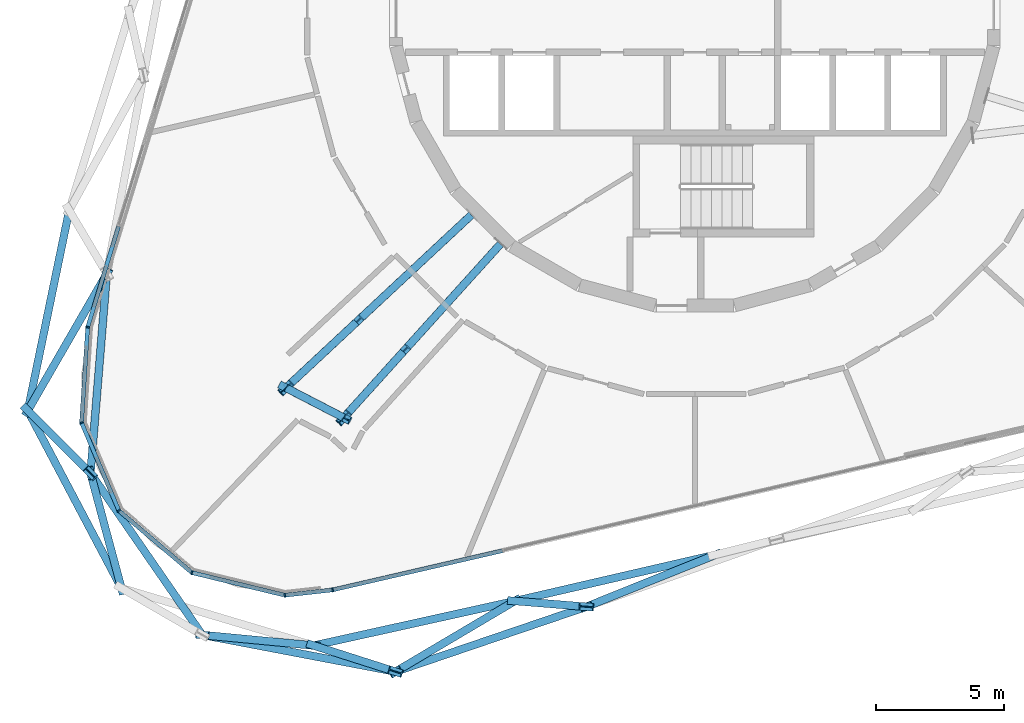
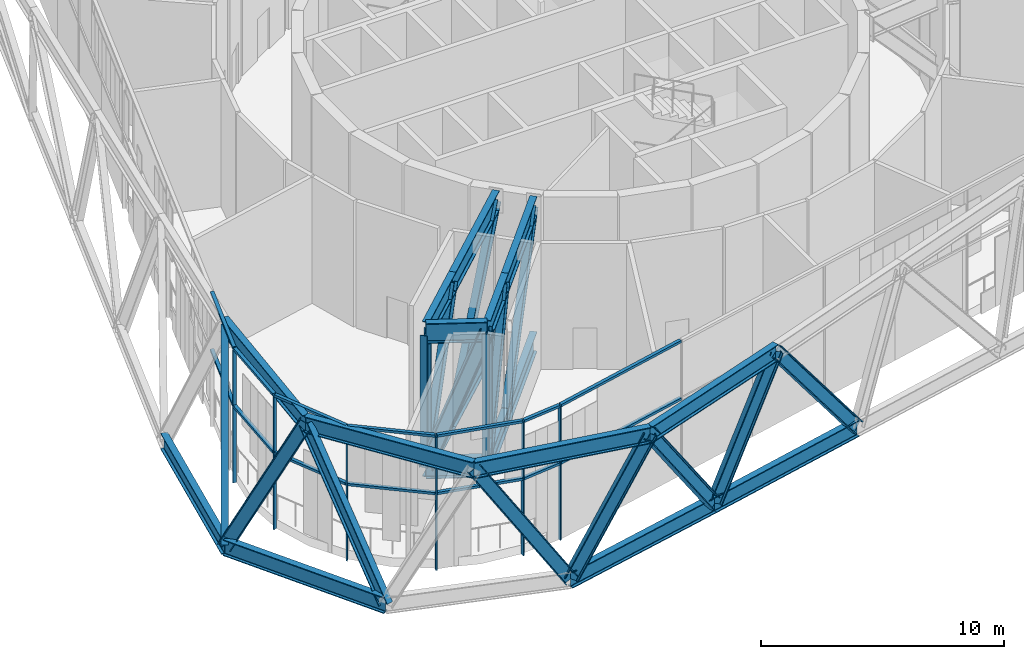
# One storey, part 2 of 25: 53 members, 1 element without a shape of its own.
"""IFC4 building model written with IfcOpenShell, lengths in metres."""

from ifc_helpers import new_model, si_unit, direction, frame, origin, origin_2d, place, context, subcontext, project, spatial, rectangle, i_section, extrude, material, layer, layer_set, material_profile, profile_set, type_object, element, aggregate, save


model = new_model("IFC4")

# Units and contexts
model_context = context("Model", 3, precision=1e-05, world=origin(), true_north=direction((0.0, 1.0)))
body_context = subcontext(model_context, "Body", "Model", "MODEL_VIEW")
ifc_project = project(units=[si_unit("LENGTHUNIT", "METRE"), si_unit("AREAUNIT", "SQUARE_METRE"), si_unit("VOLUMEUNIT", "CUBIC_METRE"), si_unit("PLANEANGLEUNIT", "RADIAN"), si_unit("MASSUNIT", "GRAM", prefix="KILO")], contexts=[model_context])

# Site, building, storey
site_placement = place(None, origin())
site = spatial("IfcSite", under=ifc_project, at=site_placement, CompositionType="ELEMENT")
building_placement = place(site_placement, origin())
building = spatial("IfcBuilding", under=site, at=building_placement, Name="Spindle Arch Residences", CompositionType="ELEMENT")
storey_placement = place(building_placement, frame((0.0, 0.0, 144.89990234375)))
storey = spatial("IfcBuildingStorey", under=building, at=storey_placement, Name="L36", CompositionType="ELEMENT", Elevation=144.89990234375)

# Members
ifc_material_1 = material(Name="Steel S460ML, intumescent coating R 240", Category="steel")
ifc_material_profile_1 = material_profile(ifc_material_1, i_section(OverallWidth=0.302978515625, OverallDepth=0.81396484375, WebThickness=0.02099609375, FlangeThickness=0.0400390625, FilletRadius=0.030029296875, at=origin_2d()), Name="HEM 800")
ifc_profile_set_1 = profile_set([ifc_material_profile_1], Name="Steel S460ML, intumescent coating R 240")
member_type_1 = type_object("IfcMemberType", Name="Belt truss chord HEM 800", PredefinedType="CHORD", material=ifc_profile_set_1)
member_1_placement = place(storey_placement, frame((-24.37744140625, -7.939697265625, -0.85693359375), z_axis=(-0.20252252567, -0.97927760446, 0.0), x_axis=(0.97927760446, -0.20252252567, 0.0)))
element("IfcMember", 1, at=member_1_placement, inside=storey, type_object=member_type_1, Name="Belt truss bottom chord L36.17", PredefinedType="CHORD", context=body_context, shape_type="SweptSolid", body=[
    extrude(i_section(OverallWidth=0.302978515625, OverallDepth=0.81396484375, WebThickness=0.02099609375, FlangeThickness=0.0400390625, FilletRadius=0.030029296875, at=origin_2d()), origin(), (0.0, 0.0, 1.0), 7.96826171875),
])
member_2_placement = place(storey_placement, frame((-25.9912109375, -15.742919921875, -0.85693359375), z_axis=(0.466652116591, -0.884440954548, 0.0), x_axis=(0.884440954548, 0.466652116591, 0.0)))
element("IfcMember", 2, at=member_2_placement, inside=storey, type_object=member_type_1, Name="Belt truss bottom chord L36.18", PredefinedType="CHORD", context=body_context, shape_type="SweptSolid", body=[
    extrude(i_section(OverallWidth=0.302978515625, OverallDepth=0.81396484375, WebThickness=0.02099609375, FlangeThickness=0.0400390625, FilletRadius=0.030029296875, at=origin_2d()), origin(), (0.0, 0.0, 1.0), 7.8193359375),
])
member_3_placement = place(storey_placement, frame((-14.85009765625, -24.897216796875, -0.85693359375), z_axis=(0.976356376203, 0.216167126657, 0.0), x_axis=(-0.216167126657, 0.976356376203, 0.0)))
element("IfcMember", 3, at=member_3_placement, inside=storey, type_object=member_type_1, Name="Belt truss bottom chord L36.20", PredefinedType="CHORD", context=body_context, shape_type="SweptSolid", body=[
    extrude(i_section(OverallWidth=0.302978515625, OverallDepth=0.81396484375, WebThickness=0.02099609375, FlangeThickness=0.0400390625, FilletRadius=0.030029296875, at=origin_2d()), origin(), (0.0, 0.0, 1.0), 8.026611328125),
])
member_4_placement = place(storey_placement, frame((-7.01318359375, -23.162109375, -0.85693359375), z_axis=(0.974371205655, 0.224946112636, 0.0), x_axis=(-0.224946112636, 0.974371205655, 0.0)))
element("IfcMember", 4, at=member_4_placement, inside=storey, type_object=member_type_1, Name="Belt truss bottom chord L36.21", PredefinedType="CHORD", context=body_context, shape_type="SweptSolid", body=[
    extrude(i_section(OverallWidth=0.302978515625, OverallDepth=0.81396484375, WebThickness=0.02099609375, FlangeThickness=0.0400390625, FilletRadius=0.030029296875, at=origin_2d()), origin(), (0.0, 0.0, 1.0), 8.029296875),
])
member_5_placement = place(storey_placement, frame((-22.91357421875, -10.40869140625, 5.943115234375), z_axis=(-0.081373439166, -0.996683682719, 0.0), x_axis=(0.996683682719, -0.081373439166, 0.0)))
element("IfcMember", 5, at=member_5_placement, inside=storey, type_object=member_type_1, Name="Belt truss top chord L36.17", PredefinedType="CHORD", context=body_context, shape_type="SweptSolid", body=[
    extrude(i_section(OverallWidth=0.302978515625, OverallDepth=0.81396484375, WebThickness=0.02099609375, FlangeThickness=0.0400390625, FilletRadius=0.030029296875, at=origin_2d()), origin(), (0.0, 0.0, 1.0), 7.794677734375),
])
member_6_placement = place(storey_placement, frame((-23.5478515625, -18.177490234375, 5.943115234375), z_axis=(0.56837972253, -0.822766364782, 0.0), x_axis=(0.822766364782, 0.56837972253, 0.0)))
element("IfcMember", 6, at=member_6_placement, inside=storey, type_object=member_type_1, Name="Belt truss top chord L36.18", PredefinedType="CHORD", context=body_context, shape_type="SweptSolid", body=[
    extrude(i_section(OverallWidth=0.302978515625, OverallDepth=0.81396484375, WebThickness=0.02099609375, FlangeThickness=0.0400390625, FilletRadius=0.030029296875, at=origin_2d()), origin(), (0.0, 0.0, 1.0), 7.663330078125),
])
member_7_placement = place(storey_placement, frame((-19.192138671875, -24.482666015625, 5.943115234375), z_axis=(0.982375634754, -0.186917394166, 0.0), x_axis=(0.186917394166, 0.982375634754, 0.0)))
element("IfcMember", 7, at=member_7_placement, inside=storey, type_object=member_type_1, Name="Belt truss top chord L36.19", PredefinedType="CHORD", context=body_context, shape_type="SweptSolid", body=[
    extrude(i_section(OverallWidth=0.302978515625, OverallDepth=0.81396484375, WebThickness=0.02099609375, FlangeThickness=0.0400390625, FilletRadius=0.030029296875, at=origin_2d()), origin(), (0.0, 0.0, 1.0), 7.6630859375),
])
member_8_placement = place(storey_placement, frame((-11.6640625, -25.9150390625, 5.943115234375), z_axis=(0.946726327311, 0.32203922304, 0.0), x_axis=(-0.32203922304, 0.946726327311, 0.0)))
element("IfcMember", 8, at=member_8_placement, inside=storey, type_object=member_type_1, Name="Belt truss top chord L36.20", PredefinedType="CHORD", context=body_context, shape_type="SweptSolid", body=[
    extrude(i_section(OverallWidth=0.302978515625, OverallDepth=0.81396484375, WebThickness=0.02099609375, FlangeThickness=0.0400390625, FilletRadius=0.030029296875, at=origin_2d()), origin(), (0.0, 0.0, 1.0), 7.856201171875),
])
ifc_material_2 = material(Name="Steel S460ML, intumescent coating R 240", Category="steel")
ifc_material_profile_2 = material_profile(ifc_material_2, i_section(OverallWidth=0.304931640625, OverallDepth=0.6201171875, WebThickness=0.02099609375, FlangeThickness=0.0400390625, FilletRadius=0.027099609375, at=origin_2d()), Name="HEM 600")
ifc_profile_set_2 = profile_set([ifc_material_profile_2], Name="Steel S460ML, intumescent coating R 240")
member_type_2 = type_object("IfcMemberType", Name="Belt truss diagonal HEM 600", PredefinedType="BRACE", material=ifc_profile_set_2)
member_9_placement = place(storey_placement, frame((-25.9912109375, -15.742919921875, -0.85693359375), z_axis=(0.335465378915, 0.581436067263, 0.741211899011), x_axis=(-0.866171725876, 0.499746477019, 0.0)))
element("IfcMember", 9, at=member_9_placement, inside=storey, type_object=member_type_2, Name="Belt truss diagonal L36.17.18", PredefinedType="BRACE", context=body_context, shape_type="SweptSolid", body=[
    extrude(i_section(OverallWidth=0.304931640625, OverallDepth=0.6201171875, WebThickness=0.02099609375, FlangeThickness=0.0400390625, FilletRadius=0.027099609375, at=origin_2d()), origin(), (0.0, 0.0, 1.0), 9.17431640625),
])
member_10_placement = place(storey_placement, frame((-25.9912109375, -15.742919921875, -0.85693359375), z_axis=(0.320448354308, -0.319295662386, 0.891831336186), x_axis=(0.705831569178, 0.708379697586, 0.0)))
element("IfcMember", 10, at=member_10_placement, inside=storey, type_object=member_type_2, Name="Belt truss diagonal L36.18.18", PredefinedType="BRACE", context=body_context, shape_type="SweptSolid", body=[
    extrude(i_section(OverallWidth=0.304931640625, OverallDepth=0.6201171875, WebThickness=0.02099609375, FlangeThickness=0.0400390625, FilletRadius=0.027099609375, at=origin_2d()), origin(), (0.0, 0.0, 1.0), 7.624755859375),
])
member_11_placement = place(storey_placement, frame((-22.34228515625, -22.65869140625, -0.85693359375), z_axis=(-0.146438635955, 0.54432587342, 0.825993383403), x_axis=(-0.965665013596, -0.25979045694, 0.0)))
element("IfcMember", 11, at=member_11_placement, inside=storey, type_object=member_type_2, Name="Belt truss diagonal L36.18.19", PredefinedType="BRACE", context=body_context, shape_type="SweptSolid", body=[
    extrude(i_section(OverallWidth=0.304931640625, OverallDepth=0.6201171875, WebThickness=0.02099609375, FlangeThickness=0.0400390625, FilletRadius=0.027099609375, at=origin_2d()), origin(), (0.0, 0.0, 1.0), 8.232666015625),
])
member_12_placement = place(storey_placement, frame((-14.85009765625, -24.897216796875, -0.85693359375), z_axis=(-0.53746596391, 0.051313871618, 0.841722771593), x_axis=(-0.095041533704, -0.995473307965, 0.0)))
element("IfcMember", 12, at=member_12_placement, inside=storey, type_object=member_type_2, Name="Belt truss diagonal L36.19.20", PredefinedType="BRACE", context=body_context, shape_type="SweptSolid", body=[
    extrude(i_section(OverallWidth=0.304931640625, OverallDepth=0.6201171875, WebThickness=0.02099609375, FlangeThickness=0.0400390625, FilletRadius=0.027099609375, at=origin_2d()), origin(), (0.0, 0.0, 1.0), 8.07861328125),
])
member_13_placement = place(storey_placement, frame((-14.85009765625, -24.897216796875, -0.85693359375), z_axis=(0.420427206095, -0.134311189441, 0.897330189376), x_axis=(0.304312194688, 0.952572353244, 0.0)))
element("IfcMember", 13, at=member_13_placement, inside=storey, type_object=member_type_2, Name="Belt truss diagonal L36.20.20", PredefinedType="BRACE", context=body_context, shape_type="SweptSolid", body=[
    extrude(i_section(OverallWidth=0.304931640625, OverallDepth=0.6201171875, WebThickness=0.02099609375, FlangeThickness=0.0400390625, FilletRadius=0.027099609375, at=origin_2d()), origin(), (0.0, 0.0, 1.0), 7.578125),
])
member_14_placement = place(storey_placement, frame((-7.01318359375, -23.162109375, -0.85693359375), z_axis=(-0.535433479978, -0.316931649356, 0.782857150542), x_axis=(0.509371416639, -0.860546779618, 0.0)))
element("IfcMember", 14, at=member_14_placement, inside=storey, type_object=member_type_2, Name="Belt truss diagonal L36.20.21", PredefinedType="BRACE", context=body_context, shape_type="SweptSolid", body=[
    extrude(i_section(OverallWidth=0.304931640625, OverallDepth=0.6201171875, WebThickness=0.02099609375, FlangeThickness=0.0400390625, FilletRadius=0.027099609375, at=origin_2d()), origin(), (0.0, 0.0, 1.0), 8.686279296875),
])
member_15_placement = place(storey_placement, frame((-7.01318359375, -23.162109375, -0.85693359375), z_axis=(0.379044441662, -0.030316914169, 0.924881719984), x_axis=(0.079727868305, 0.996816666702, 0.0)))
element("IfcMember", 15, at=member_15_placement, inside=storey, type_object=member_type_2, Name="Belt truss diagonal L36.21.21", PredefinedType="BRACE", context=body_context, shape_type="SweptSolid", body=[
    extrude(i_section(OverallWidth=0.304931640625, OverallDepth=0.6201171875, WebThickness=0.02099609375, FlangeThickness=0.0400390625, FilletRadius=0.027099609375, at=origin_2d()), origin(), (0.0, 0.0, 1.0), 7.352294921875),
])
member_16_placement = place(storey_placement, frame((0.810302734375, -21.35595703125, -0.85693359375), z_axis=(-0.578787124766, -0.233170130583, 0.781432757446), x_axis=(0.373676393128, -0.927559137316, 0.0)))
element("IfcMember", 16, at=member_16_placement, inside=storey, type_object=member_type_2, Name="Belt truss diagonal L36.21.22", PredefinedType="BRACE", context=body_context, shape_type="SweptSolid", body=[
    extrude(i_section(OverallWidth=0.304931640625, OverallDepth=0.6201171875, WebThickness=0.02099609375, FlangeThickness=0.0400390625, FilletRadius=0.027099609375, at=origin_2d()), origin(), (0.0, 0.0, 1.0), 8.7021484375),
])

# Curtain wall, members
ifc_material_3 = material(Name="Aluminium bronze unitised frame with tinted glass", Category="aluminium")
ifc_layer = layer(ifc_material_3, 0.159912109375)
ifc_layer_set = layer_set([ifc_layer], Name="CW-E double-height winter garden wall")
curtain_wall_type = type_object("IfcCurtainWallType", Name="CW-E double-height winter garden wall", PredefinedType="NOTDEFINED", material=ifc_layer_set)
curtain_wall_placement = place(storey_placement, origin())
curtain_wall = element("IfcCurtainWall", 17, at=curtain_wall_placement, inside=storey, type_object=curtain_wall_type, Name="CW-E L36 run 5", PredefinedType="NOTDEFINED")
ifc_material_4 = material(Name="Aluminium bronze anodised mullion", Category="aluminium")
ifc_material_profile_3 = material_profile(ifc_material_4, rectangle(XDim=0.159912109375, YDim=0.06005859375, at=origin_2d()), Name="MU 60x160")
ifc_profile_set_3 = profile_set([ifc_material_profile_3], Name="Aluminium bronze anodised mullion")
member_type_3 = type_object("IfcMemberType", Name="Bronze mullion 60x160", PredefinedType="MULLION", material=ifc_profile_set_3)
member_17_placement = place(storey_placement, frame((-23.6572265625, -12.49267578125, -0.449951171875), z_axis=(0.0, 0.0, 1.0), x_axis=(0.997952993046, -0.063951729226, 0.0)))
member_17 = element("IfcMember", 18, at=member_17_placement, type_object=member_type_3, Name="CW-E mullion 01", PredefinedType="MULLION", context=body_context, shape_type="SweptSolid", body=[
    extrude(rectangle(XDim=0.159912109375, YDim=0.06005859375, at=origin_2d()), origin(), (0.0, 0.0, 1.0), 6.679931640625),
])
member_18_placement = place(storey_placement, frame((-23.8955078125, -16.2119140625, -0.449951171875), z_axis=(0.0, 0.0, 1.0), x_axis=(0.920504854032, 0.390731127124, 0.0)))
member_18 = element("IfcMember", 19, at=member_18_placement, type_object=member_type_3, Name="CW-E mullion 02", PredefinedType="MULLION", context=body_context, shape_type="SweptSolid", body=[
    extrude(rectangle(XDim=0.159912109375, YDim=0.06005859375, at=origin_2d()), origin(), (0.0, 0.0, 1.0), 6.679931640625),
])
member_19_placement = place(storey_placement, frame((-22.439208984375, -19.642333984375, -0.449951171875), z_axis=(0.0, 0.0, 1.0), x_axis=(0.647233374321, 0.762291912042, 0.0)))
member_19 = element("IfcMember", 20, at=member_19_placement, type_object=member_type_3, Name="CW-E mullion 03", PredefinedType="MULLION", context=body_context, shape_type="SweptSolid", body=[
    extrude(rectangle(XDim=0.159912109375, YDim=0.06005859375, at=origin_2d()), origin(), (0.0, 0.0, 1.0), 6.679931640625),
])
member_20_placement = place(storey_placement, frame((-19.598388671875, -22.054443359375, -0.449951171875), z_axis=(0.0, 0.0, 1.0), x_axis=(0.23627288281, 0.971686742139, 0.0)))
member_20 = element("IfcMember", 21, at=member_20_placement, type_object=member_type_3, Name="CW-E mullion 04", PredefinedType="MULLION", context=body_context, shape_type="SweptSolid", body=[
    extrude(rectangle(XDim=0.159912109375, YDim=0.06005859375, at=origin_2d()), origin(), (0.0, 0.0, 1.0), 6.679931640625),
])
member_21_placement = place(storey_placement, frame((-15.977294921875, -22.93505859375, -0.449951171875), z_axis=(0.0, 0.0, 1.0), x_axis=(-0.110312554381, 0.993896946542, 0.0)))
member_21 = element("IfcMember", 22, at=member_21_placement, type_object=member_type_3, Name="CW-E mullion 05", PredefinedType="MULLION", context=body_context, shape_type="SweptSolid", body=[
    extrude(rectangle(XDim=0.159912109375, YDim=0.06005859375, at=origin_2d()), origin(), (0.0, 0.0, 1.0), 6.679931640625),
])
member_22_placement = place(storey_placement, frame((-14.112548828125, -22.72802734375, -0.449951171875), z_axis=(0.0, 0.0, 1.0), x_axis=(-0.224951054344, 0.974370064785, 0.0)))
member_22 = element("IfcMember", 23, at=member_22_placement, type_object=member_type_3, Name="CW-E mullion 06", PredefinedType="MULLION", context=body_context, shape_type="SweptSolid", body=[
    extrude(rectangle(XDim=0.159912109375, YDim=0.06005859375, at=origin_2d()), origin(), (0.0, 0.0, 1.0), 6.679931640625),
])
ifc_material_5 = material(Name="Aluminium bronze anodised transom", Category="aluminium")
ifc_material_profile_4 = material_profile(ifc_material_5, rectangle(XDim=0.159912109375, YDim=0.1201171875, at=origin_2d()), Name="TR 120x160")
ifc_profile_set_4 = profile_set([ifc_material_profile_4], Name="Aluminium bronze anodised transom")
member_type_4 = type_object("IfcMemberType", Name="Bronze transom 120x160", PredefinedType="USERDEFINED", material=ifc_profile_set_4)
member_23_placement = place(storey_placement, frame((-22.45458984375, -8.55908203125, 6.2900390625), z_axis=(-0.292362833345, -0.95630746817, 0.0), x_axis=(0.95630746817, -0.292362833345, 0.0)))
member_23 = element("IfcMember", 24, at=member_23_placement, type_object=member_type_4, Name="CW-E transom 00", ObjectType="TRANSOM", PredefinedType="USERDEFINED", context=body_context, shape_type="SweptSolid", body=[
    extrude(rectangle(XDim=0.159912109375, YDim=0.1201171875, at=origin_2d()), origin(), (0.0, 0.0, 1.0), 4.08349609375),
])
member_24_placement = place(storey_placement, frame((-22.45458984375, -8.55908203125, 3.400146484375), z_axis=(-0.292362833345, -0.95630746817, 0.0), x_axis=(0.95630746817, -0.292362833345, 0.0)))
member_24 = element("IfcMember", 25, at=member_24_placement, type_object=member_type_4, Name="CW-E transom 00m", ObjectType="TRANSOM", PredefinedType="USERDEFINED", context=body_context, shape_type="SweptSolid", body=[
    extrude(rectangle(XDim=0.159912109375, YDim=0.1201171875, at=origin_2d()), origin(), (0.0, 0.0, 1.0), 4.08349609375),
])
member_25_placement = place(storey_placement, frame((-23.6591796875, -12.522705078125, 6.2900390625), z_axis=(-0.063920256807, -0.997955009392, 0.0), x_axis=(0.997955009392, -0.063920256807, 0.0)))
member_25 = element("IfcMember", 26, at=member_25_placement, type_object=member_type_4, Name="CW-E transom 01", ObjectType="TRANSOM", PredefinedType="USERDEFINED", context=body_context, shape_type="SweptSolid", body=[
    extrude(rectangle(XDim=0.159912109375, YDim=0.1201171875, at=origin_2d()), origin(), (0.0, 0.0, 1.0), 3.666748046875),
])
member_26_placement = place(storey_placement, frame((-23.6591796875, -12.522705078125, 3.400146484375), z_axis=(-0.063920256807, -0.997955009392, 0.0), x_axis=(0.997955009392, -0.063920256807, 0.0)))
member_26 = element("IfcMember", 27, at=member_26_placement, type_object=member_type_4, Name="CW-E transom 01m", ObjectType="TRANSOM", PredefinedType="USERDEFINED", context=body_context, shape_type="SweptSolid", body=[
    extrude(rectangle(XDim=0.159912109375, YDim=0.1201171875, at=origin_2d()), origin(), (0.0, 0.0, 1.0), 3.666748046875),
])
member_27_placement = place(storey_placement, frame((-23.8837890625, -16.239501953125, 6.2900390625), z_axis=(0.39076699022, -0.920489630226, 0.0), x_axis=(0.920489630226, 0.39076699022, 0.0)))
member_27 = element("IfcMember", 28, at=member_27_placement, type_object=member_type_4, Name="CW-E transom 02", ObjectType="TRANSOM", PredefinedType="USERDEFINED", context=body_context, shape_type="SweptSolid", body=[
    extrude(rectangle(XDim=0.159912109375, YDim=0.1201171875, at=origin_2d()), origin(), (0.0, 0.0, 1.0), 3.666748046875),
])
member_28_placement = place(storey_placement, frame((-23.8837890625, -16.239501953125, 3.400146484375), z_axis=(0.39076699022, -0.920489630226, 0.0), x_axis=(0.920489630226, 0.39076699022, 0.0)))
member_28 = element("IfcMember", 29, at=member_28_placement, type_object=member_type_4, Name="CW-E transom 02m", ObjectType="TRANSOM", PredefinedType="USERDEFINED", context=body_context, shape_type="SweptSolid", body=[
    extrude(rectangle(XDim=0.159912109375, YDim=0.1201171875, at=origin_2d()), origin(), (0.0, 0.0, 1.0), 3.666748046875),
])
member_29_placement = place(storey_placement, frame((-22.41650390625, -19.661865234375, 6.2900390625), z_axis=(0.762289120673, -0.647236661897, 0.0), x_axis=(0.647236661897, 0.762289120673, 0.0)))
member_29 = element("IfcMember", 30, at=member_29_placement, type_object=member_type_4, Name="CW-E transom 03", ObjectType="TRANSOM", PredefinedType="USERDEFINED", context=body_context, shape_type="SweptSolid", body=[
    extrude(rectangle(XDim=0.159912109375, YDim=0.1201171875, at=origin_2d()), origin(), (0.0, 0.0, 1.0), 3.666748046875),
])
member_30_placement = place(storey_placement, frame((-22.41650390625, -19.661865234375, 3.400146484375), z_axis=(0.762289120673, -0.647236661897, 0.0), x_axis=(0.647236661897, 0.762289120673, 0.0)))
member_30 = element("IfcMember", 31, at=member_30_placement, type_object=member_type_4, Name="CW-E transom 03m", ObjectType="TRANSOM", PredefinedType="USERDEFINED", context=body_context, shape_type="SweptSolid", body=[
    extrude(rectangle(XDim=0.159912109375, YDim=0.1201171875, at=origin_2d()), origin(), (0.0, 0.0, 1.0), 3.666748046875),
])
member_31_placement = place(storey_placement, frame((-19.5693359375, -22.0615234375, 6.2900390625), z_axis=(0.971681239144, -0.236295513068, 0.0), x_axis=(0.236295513068, 0.971681239144, 0.0)))
member_31 = element("IfcMember", 32, at=member_31_placement, type_object=member_type_4, Name="CW-E transom 04", ObjectType="TRANSOM", PredefinedType="USERDEFINED", context=body_context, shape_type="SweptSolid", body=[
    extrude(rectangle(XDim=0.159912109375, YDim=0.1201171875, at=origin_2d()), origin(), (0.0, 0.0, 1.0), 3.666748046875),
])
member_32_placement = place(storey_placement, frame((-19.5693359375, -22.0615234375, 3.400146484375), z_axis=(0.971681239144, -0.236295513068, 0.0), x_axis=(0.236295513068, 0.971681239144, 0.0)))
member_32 = element("IfcMember", 33, at=member_32_placement, type_object=member_type_4, Name="CW-E transom 04m", ObjectType="TRANSOM", PredefinedType="USERDEFINED", context=body_context, shape_type="SweptSolid", body=[
    extrude(rectangle(XDim=0.159912109375, YDim=0.1201171875, at=origin_2d()), origin(), (0.0, 0.0, 1.0), 3.666748046875),
])
member_33_placement = place(storey_placement, frame((-15.947509765625, -22.931640625, 6.2900390625), z_axis=(0.993906663087, 0.110224974808, 0.0), x_axis=(-0.110224974808, 0.993906663087, 0.0)))
member_33 = element("IfcMember", 34, at=member_33_placement, type_object=member_type_4, Name="CW-E transom 05", ObjectType="TRANSOM", PredefinedType="USERDEFINED", context=body_context, shape_type="SweptSolid", body=[
    extrude(rectangle(XDim=0.159912109375, YDim=0.1201171875, at=origin_2d()), origin(), (0.0, 0.0, 1.0), 1.816162109375),
])
member_34_placement = place(storey_placement, frame((-15.947509765625, -22.931640625, 3.400146484375), z_axis=(0.993906663087, 0.110224974808, 0.0), x_axis=(-0.110224974808, 0.993906663087, 0.0)))
member_34 = element("IfcMember", 35, at=member_34_placement, type_object=member_type_4, Name="CW-E transom 05m", ObjectType="TRANSOM", PredefinedType="USERDEFINED", context=body_context, shape_type="SweptSolid", body=[
    extrude(rectangle(XDim=0.159912109375, YDim=0.1201171875, at=origin_2d()), origin(), (0.0, 0.0, 1.0), 1.816162109375),
])
member_35_placement = place(storey_placement, frame((-14.083251953125, -22.721435546875, 6.2900390625), z_axis=(0.974365014398, 0.224972928856, 0.0), x_axis=(-0.224972928856, 0.974365014398, 0.0)))
member_35 = element("IfcMember", 36, at=member_35_placement, type_object=member_type_4, Name="CW-E transom 06", ObjectType="TRANSOM", PredefinedType="USERDEFINED", context=body_context, shape_type="SweptSolid", body=[
    extrude(rectangle(XDim=0.159912109375, YDim=0.1201171875, at=origin_2d()), origin(), (0.0, 0.0, 1.0), 6.759765625),
])
member_36_placement = place(storey_placement, frame((-14.083251953125, -22.721435546875, 3.400146484375), z_axis=(0.974365014398, 0.224972928856, 0.0), x_axis=(-0.224972928856, 0.974365014398, 0.0)))
member_36 = element("IfcMember", 37, at=member_36_placement, type_object=member_type_4, Name="CW-E transom 06m", ObjectType="TRANSOM", PredefinedType="USERDEFINED", context=body_context, shape_type="SweptSolid", body=[
    extrude(rectangle(XDim=0.159912109375, YDim=0.1201171875, at=origin_2d()), origin(), (0.0, 0.0, 1.0), 6.759765625),
])
aggregate(curtain_wall, [member_23, member_24, member_17, member_25, member_26, member_18, member_27, member_28, member_19, member_29, member_30, member_20, member_31, member_32, member_21, member_33, member_34, member_22, member_35, member_36])

# Members
ifc_material_6 = material(Name="Steel S460ML, intumescent coating R 240", Category="steel")
ifc_material_profile_5 = material_profile(ifc_material_6, i_section(OverallWidth=0.302001953125, OverallDepth=1.008056640625, WebThickness=0.02099609375, FlangeThickness=0.0400390625, FilletRadius=0.030029296875, at=origin_2d()), Name="HEM 1000")
ifc_profile_set_5 = profile_set([ifc_material_profile_5], Name="Steel S460ML, intumescent coating R 240")
member_type_5 = type_object("IfcMemberType", Name="Transfer truss chord HEM 1000", PredefinedType="CHORD", material=ifc_profile_set_5)
for number, where, z_axis, x_axis, name in (
    (38, (-8.706298828125, -8.118896484375, -0.953857421875), (-0.731372030004, -0.681978704747, 0.0), (0.681978704747, -0.731372030004, 0.0), "Transfer truss chord L36"),
    (39, (-8.706298828125, -8.118896484375, 5.84619140625), (-0.731372030004, -0.681978704747, 0.0), (0.681978704747, -0.731372030004, 0.0), "Transfer truss chord L36"),
):
    element("IfcMember", number, at=place(storey_placement, frame(where, z_axis=z_axis, x_axis=x_axis)), inside=storey, type_object=member_type_5, Name=name, PredefinedType="CHORD", context=body_context, shape_type="SweptSolid", body=[
        extrude(i_section(OverallWidth=0.302001953125, OverallDepth=1.008056640625, WebThickness=0.02099609375, FlangeThickness=0.0400390625, FilletRadius=0.030029296875, at=origin_2d()), origin(), (0.0, 0.0, 1.0), 6.1240234375),
    ])
for number, where, z_axis, x_axis, name in (
    (40, (-13.185302734375, -12.29541015625, -0.953857421875), (-0.731329922991, -0.682023858628, 0.0), (0.682023858628, -0.731329922991, 0.0), "Transfer truss chord L36"),
    (41, (-13.185302734375, -12.29541015625, 5.84619140625), (-0.731329922991, -0.682023858628, 0.0), (0.682023858628, -0.731329922991, 0.0), "Transfer truss chord L36"),
):
    element("IfcMember", number, at=place(storey_placement, frame(where, z_axis=z_axis, x_axis=x_axis)), inside=storey, type_object=member_type_5, Name=name, PredefinedType="CHORD", context=body_context, shape_type="SweptSolid", body=[
        extrude(i_section(OverallWidth=0.302001953125, OverallDepth=1.008056640625, WebThickness=0.02099609375, FlangeThickness=0.0400390625, FilletRadius=0.030029296875, at=origin_2d()), origin(), (0.0, 0.0, 1.0), 3.753173828125),
    ])
for number, where, z_axis, x_axis, name in (
    (42, (-15.93017578125, -14.855224609375, -0.953857421875), (0.888210859366, -0.459436033964, 0.0), (0.459436033964, 0.888210859366, 0.0), "Transfer truss chord L36"),
    (43, (-15.93017578125, -14.855224609375, 5.84619140625), (0.888210859366, -0.459436033964, 0.0), (0.459436033964, 0.888210859366, 0.0), "Transfer truss chord L36"),
):
    element("IfcMember", number, at=place(storey_placement, frame(where, z_axis=z_axis, x_axis=x_axis)), inside=storey, type_object=member_type_5, Name=name, PredefinedType="CHORD", context=body_context, shape_type="SweptSolid", body=[
        extrude(i_section(OverallWidth=0.302001953125, OverallDepth=1.008056640625, WebThickness=0.02099609375, FlangeThickness=0.0400390625, FilletRadius=0.030029296875, at=origin_2d()), origin(), (0.0, 0.0, 1.0), 2.531982421875),
    ])
for number, where, z_axis, x_axis, name in (
    (44, (-7.57373046875, -9.25146484375, -0.953857421875), (-0.670002265059, -0.742359053839, 0.0), (0.742359053839, -0.670002265059, 0.0), "Transfer truss chord L36"),
    (45, (-7.57373046875, -9.25146484375, 5.84619140625), (-0.670002265059, -0.742359053839, 0.0), (0.742359053839, -0.670002265059, 0.0), "Transfer truss chord L36"),
):
    element("IfcMember", number, at=place(storey_placement, frame(where, z_axis=z_axis, x_axis=x_axis)), inside=storey, type_object=member_type_5, Name=name, PredefinedType="CHORD", context=body_context, shape_type="SweptSolid", body=[
        extrude(i_section(OverallWidth=0.302001953125, OverallDepth=1.008056640625, WebThickness=0.02099609375, FlangeThickness=0.0400390625, FilletRadius=0.030029296875, at=origin_2d()), origin(), (0.0, 0.0, 1.0), 5.651611328125),
    ])
for number, where, z_axis, x_axis, name in (
    (46, (-11.3603515625, -13.447021484375, -0.953857421875), (-0.669988206464, -0.742371741919, 0.0), (0.742371741919, -0.669988206464, 0.0), "Transfer truss chord L36"),
    (47, (-11.3603515625, -13.447021484375, 5.84619140625), (-0.669988206464, -0.742371741919, 0.0), (0.742371741919, -0.669988206464, 0.0), "Transfer truss chord L36"),
):
    element("IfcMember", number, at=place(storey_placement, frame(where, z_axis=z_axis, x_axis=x_axis)), inside=storey, type_object=member_type_5, Name=name, PredefinedType="CHORD", context=body_context, shape_type="SweptSolid", body=[
        extrude(i_section(OverallWidth=0.302001953125, OverallDepth=1.008056640625, WebThickness=0.02099609375, FlangeThickness=0.0400390625, FilletRadius=0.030029296875, at=origin_2d()), origin(), (0.0, 0.0, 1.0), 3.4638671875),
    ])
ifc_material_7 = material(Name="Steel S460ML, intumescent coating R 240", Category="steel")
ifc_material_profile_6 = material_profile(ifc_material_7, i_section(OverallWidth=0.304931640625, OverallDepth=0.6201171875, WebThickness=0.02099609375, FlangeThickness=0.0400390625, FilletRadius=0.027099609375, at=origin_2d()), Name="HEM 600")
ifc_profile_set_6 = profile_set([ifc_material_profile_6], Name="Steel S460ML, intumescent coating R 240")
member_type_6 = type_object("IfcMemberType", Name="Transfer truss diagonal HEM 600", PredefinedType="BRACE", material=ifc_profile_set_6)
member_37_placement = place(storey_placement, frame((-13.185302734375, -12.29541015625, -0.953857421875), z_axis=(0.489441672497, 0.456387152045, 0.743073089724), x_axis=(-0.681978704747, 0.731372030004, 0.0)))
element("IfcMember", 48, at=member_37_placement, inside=storey, type_object=member_type_6, Name="Transfer truss diagonal L36", PredefinedType="BRACE", context=body_context, shape_type="SweptSolid", body=[
    extrude(i_section(OverallWidth=0.304931640625, OverallDepth=0.6201171875, WebThickness=0.02099609375, FlangeThickness=0.0400390625, FilletRadius=0.027099609375, at=origin_2d()), origin(), (0.0, 0.0, 1.0), 9.1513671875),
])
member_38_placement = place(storey_placement, frame((-15.93017578125, -14.855224609375, -0.953857421875), z_axis=(0.353397999626, 0.329572002675, 0.875495373439), x_axis=(-0.682023858628, 0.731329922991, 0.0)))
element("IfcMember", 49, at=member_38_placement, inside=storey, type_object=member_type_6, Name="Transfer truss diagonal L36", PredefinedType="BRACE", context=body_context, shape_type="SweptSolid", body=[
    extrude(i_section(OverallWidth=0.304931640625, OverallDepth=0.6201171875, WebThickness=0.02099609375, FlangeThickness=0.0400390625, FilletRadius=0.027099609375, at=origin_2d()), origin(), (0.0, 0.0, 1.0), 7.76708984375),
])
member_39_placement = place(storey_placement, frame((-15.93017578125, -14.855224609375, -0.953857421875), z_axis=(0.309946047316, -0.160322722043, 0.937139302638), x_axis=(0.459436033964, 0.888210859366, 0.0)))
element("IfcMember", 50, at=member_39_placement, inside=storey, type_object=member_type_6, Name="Transfer truss diagonal L36", PredefinedType="BRACE", context=body_context, shape_type="SweptSolid", body=[
    extrude(i_section(OverallWidth=0.304931640625, OverallDepth=0.6201171875, WebThickness=0.02099609375, FlangeThickness=0.0400390625, FilletRadius=0.027099609375, at=origin_2d()), origin(), (0.0, 0.0, 1.0), 7.256103515625),
])
member_40_placement = place(storey_placement, frame((-11.3603515625, -13.447021484375, -0.953857421875), z_axis=(0.428251461455, 0.474500410387, 0.769057895287), x_axis=(-0.742359053839, 0.670002265059, 0.0)))
element("IfcMember", 51, at=member_40_placement, inside=storey, type_object=member_type_6, Name="Transfer truss diagonal L36", PredefinedType="BRACE", context=body_context, shape_type="SweptSolid", body=[
    extrude(i_section(OverallWidth=0.304931640625, OverallDepth=0.6201171875, WebThickness=0.02099609375, FlangeThickness=0.0400390625, FilletRadius=0.027099609375, at=origin_2d()), origin(), (0.0, 0.0, 1.0), 8.842041015625),
])
member_41_placement = place(storey_placement, frame((-13.68115234375, -16.0185546875, -0.953857421875), z_axis=(0.304108673533, 0.336963671189, 0.891051849771), x_axis=(-0.742371741919, 0.669988206464, 0.0)))
element("IfcMember", 52, at=member_41_placement, inside=storey, type_object=member_type_6, Name="Transfer truss diagonal L36", PredefinedType="BRACE", context=body_context, shape_type="SweptSolid", body=[
    extrude(i_section(OverallWidth=0.304931640625, OverallDepth=0.6201171875, WebThickness=0.02099609375, FlangeThickness=0.0400390625, FilletRadius=0.027099609375, at=origin_2d()), origin(), (0.0, 0.0, 1.0), 7.631591796875),
])
ifc_material_8 = material(Name="Steel S460ML, intumescent coating R 240", Category="steel")
ifc_material_profile_7 = material_profile(ifc_material_8, i_section(OverallWidth=0.300048828125, OverallDepth=0.60009765625, WebThickness=0.015380859375, FlangeThickness=0.030029296875, FilletRadius=0.027099609375, at=origin_2d()), Name="HEB 600")
ifc_profile_set_7 = profile_set([ifc_material_profile_7], Name="Steel S460ML, intumescent coating R 240")
member_type_7 = type_object("IfcMemberType", Name="Transfer truss post HEB 600", PredefinedType="POST", material=ifc_profile_set_7)
member_42_placement = place(storey_placement, frame((-15.93017578125, -14.855224609375, -0.449951171875), z_axis=(0.0, 0.0, 1.0), x_axis=(-0.681999543053, 0.731352598461, 0.0)))
element("IfcMember", 53, at=member_42_placement, inside=storey, type_object=member_type_7, Name="Transfer truss post L36", PredefinedType="POST", context=body_context, shape_type="SweptSolid", body=[
    extrude(i_section(OverallWidth=0.300048828125, OverallDepth=0.60009765625, WebThickness=0.015380859375, FlangeThickness=0.030029296875, FilletRadius=0.027099609375, at=origin_2d()), origin(), (0.0, 0.0, 1.0), 6.296142578125),
])
member_43_placement = place(storey_placement, frame((-13.68115234375, -16.0185546875, -0.953857421875), z_axis=(0.0, 0.0, 1.0), x_axis=(-0.742364578617, 0.669996143582, 0.0)))
element("IfcMember", 54, at=member_43_placement, inside=storey, type_object=member_type_7, Name="Transfer truss post L36", PredefinedType="POST", context=body_context, shape_type="SweptSolid", body=[
    extrude(i_section(OverallWidth=0.300048828125, OverallDepth=0.60009765625, WebThickness=0.015380859375, FlangeThickness=0.030029296875, FilletRadius=0.027099609375, at=origin_2d()), origin(), (0.0, 0.0, 1.0), 6.800048828125),
])

save(model, "model.ifc")
